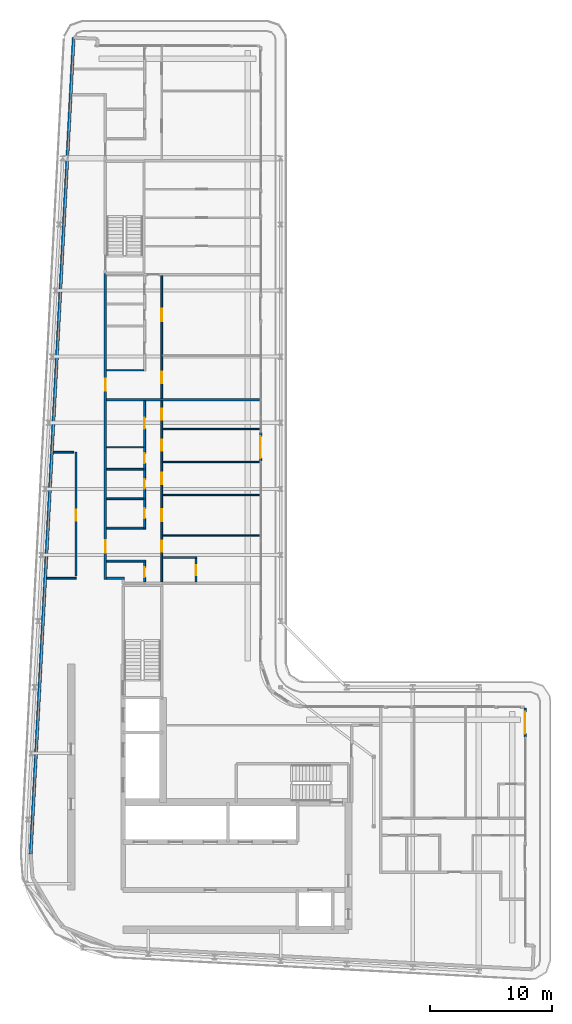
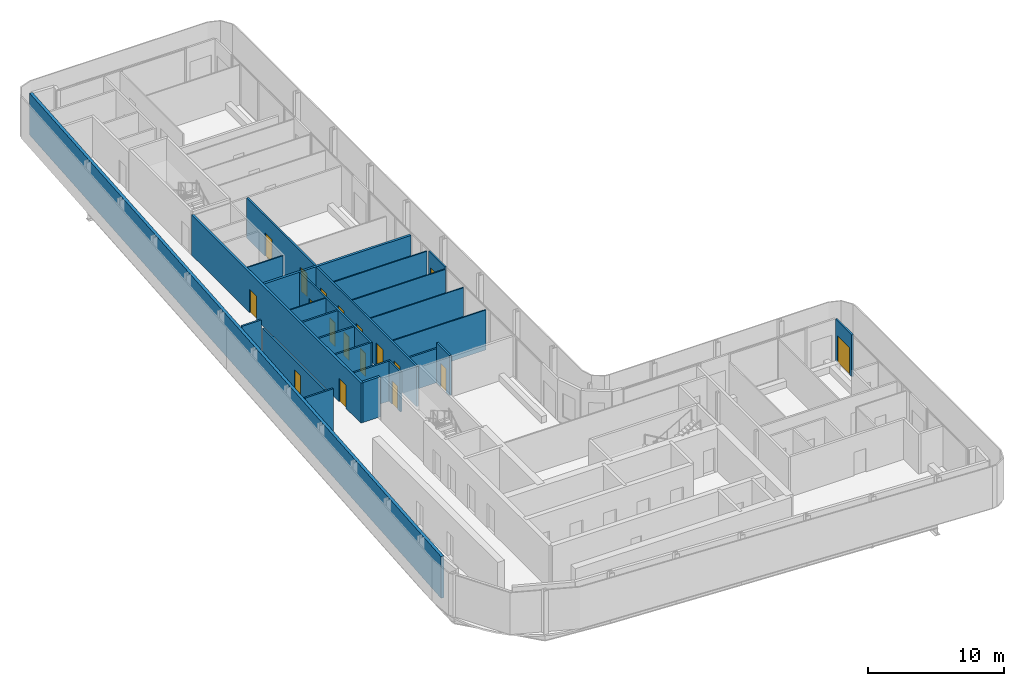
# One storey, part 13 of 21: 25 walls, 18 doors, 18 openings.
"""IFC4 building model written with IfcOpenShell, lengths in metres."""

from ifc_helpers import new_model, si_unit, direction, frame, frame_2d, origin, place, context, subcontext, project, spatial, rectangle, extrude, source, transform, mapped, material, layer, layer_set, type_object, element, fill, save


model = new_model("IFC4")

# Units and contexts
model_context = context("Model", 3, precision=1e-05, world=origin(), true_north=direction((0.0, 1.0)))
body_context = subcontext(model_context, "Body", "Model", "MODEL_VIEW")
ifc_project = project(units=[si_unit("LENGTHUNIT", "METRE"), si_unit("AREAUNIT", "SQUARE_METRE"), si_unit("VOLUMEUNIT", "CUBIC_METRE"), si_unit("PLANEANGLEUNIT", "RADIAN"), si_unit("MASSUNIT", "GRAM", prefix="KILO")], contexts=[model_context])

# Site, building, storey
site_placement = place(None, origin())
site = spatial("IfcSite", under=ifc_project, at=site_placement, CompositionType="ELEMENT")
building_placement = place(site_placement, origin())
building = spatial("IfcBuilding", under=site, at=building_placement, Name="Kheshtan School and Residences Tower", CompositionType="ELEMENT")
storey_placement = place(building_placement, frame((0.0, 0.0, 305.89990234375)))
storey = spatial("IfcBuildingStorey", under=building, at=storey_placement, Name="L72", CompositionType="ELEMENT", Elevation=305.89990234375)

# Wall, openings, doors
ifc_material_1 = material(Name="Gypsum board on steel studs with fire boards", Category="steel")
ifc_layer_1 = layer(ifc_material_1, 0.199951171875)
ifc_layer_set_1 = layer_set([ifc_layer_1], Name="Corridor wall 200")
wall_type_1 = type_object("IfcWallType", Name="Corridor wall 200", PredefinedType="PARTITIONING", material=ifc_layer_set_1)
wall_1_placement = place(storey_placement, frame((33.300048828125, 54.39990234375, 0.0), z_axis=(0.0, 0.0, 1.0), x_axis=(0.0, 1.0, 0.0)))
wall_1 = element("IfcWall", 1, at=wall_1_placement, inside=storey, type_object=wall_type_1, Name="Partition L72-003", PredefinedType="PARTITIONING", context=body_context, shape_type="SweptSolid", body=[
    extrude(rectangle(XDim=24.97509765625, YDim=0.199951171875, at=frame_2d((12.487548828125, 0.0))), origin(), (0.0, 0.0, 1.0), 3.60009765625),
])
opening_1_placement = place(wall_1_placement, frame((2.199951171875, 0.0, 0.0)))
opening_1 = element("IfcOpeningElement", 2, at=opening_1_placement, cuts=wall_1, Name="Opening D72-014", PredefinedType="OPENING", context=body_context, shape_type="SweptSolid", body=[
    extrude(rectangle(XDim=1.0, YDim=2.10009765625, at=frame_2d((0.5, 1.050048828125))), frame((0.0, 0.10986328125, 0.0), z_axis=(0.0, -1.0, 0.0), x_axis=(1.0, 0.0, 0.0)), (0.0, 0.0, 1.0), 0.219970703125),
])
opening_2_placement = place(wall_1_placement, frame((15.39990234375, 0.0, 0.0)))
opening_2 = element("IfcOpeningElement", 3, at=opening_2_placement, cuts=wall_1, Name="Opening D72-023", PredefinedType="OPENING", context=body_context, shape_type="SweptSolid", body=[
    extrude(rectangle(XDim=1.0, YDim=2.10009765625, at=frame_2d((0.5, 1.050048828125))), frame((0.0, 0.10986328125, 0.0), z_axis=(0.0, -1.0, 0.0), x_axis=(1.0, 0.0, 0.0)), (0.0, 0.0, 1.0), 0.219970703125),
])
ifc_material_2 = material(Name="Steel-framed fire-resisting door leaf", Category="steel")
door_type_1 = type_object("IfcDoorType", Name="Fire door FD30S 1000 x 2100", OperationType="SINGLE_SWING_LEFT", PredefinedType="DOOR", material=ifc_material_2)
shared_shape_1 = source(origin(), body_context, "Body", "SweptSolid", [
    extrude(rectangle(XDim=1.0, YDim=2.10009765625, at=frame_2d((0.5, 1.050048828125))), frame((0.0, 0.02490234375, 0.0), z_axis=(0.0, -1.0, 0.0), x_axis=(1.0, 0.0, 0.0)), (0.0, 0.0, 1.0), 0.050048828125),
])
door_1_placement = place(opening_1_placement, origin())
door_1 = element("IfcDoor", 4, at=door_1_placement, inside=storey, type_object=door_type_1, Name="Door D72-014", OperationType="SINGLE_SWING_RIGHT", OverallHeight=2.10009765625, OverallWidth=1.0, PredefinedType="DOOR", context=body_context, shape_type="MappedRepresentation", body=[
    mapped(shared_shape_1, transform((0.0, 0.0, 0.0), x_axis=(1.0, 0.0, 0.0), y_axis=(0.0, 1.0, 0.0), z_axis=(0.0, 0.0, 1.0), scale=1.0)),
])
fill(opening_1, door_1)
door_2_placement = place(opening_2_placement, origin())
door_2 = element("IfcDoor", 5, at=door_2_placement, inside=storey, type_object=door_type_1, Name="Door D72-023", OperationType="SINGLE_SWING_LEFT", OverallHeight=2.10009765625, OverallWidth=1.0, PredefinedType="DOOR", context=body_context, shape_type="MappedRepresentation", body=[
    mapped(shared_shape_1, transform((0.0, 0.0, 0.0), x_axis=(1.0, 0.0, 0.0), y_axis=(0.0, 1.0, 0.0), z_axis=(0.0, 0.0, 1.0), scale=1.0)),
])
fill(opening_2, door_2)

# Walls
wall_2_placement = place(storey_placement, frame((33.39990234375, 54.5, 0.0), z_axis=(0.0, 0.0, 1.0), x_axis=(1.0, 0.0, 0.0)))
element("IfcWall", 6, at=wall_2_placement, inside=storey, type_object=wall_type_1, Name="Partition L72-005", PredefinedType="PARTITIONING", context=body_context, shape_type="SweptSolid", body=[
    extrude(rectangle(XDim=1.4501953125, YDim=0.199951171875, at=frame_2d((0.72509765625, 0.0))), origin(), (0.0, 0.0, 1.0), 3.60009765625),
])
ifc_material_3 = material(Name="Concrete C40/50 with ceramic cladding and mineral wool insulation", Category="concrete")
ifc_layer_2 = layer(ifc_material_3, 0.25)
ifc_layer_set_2 = layer_set([ifc_layer_2], Name="External wall 250 ceramic clad")
wall_type_2 = type_object("IfcWallType", Name="External wall 250 ceramic clad", PredefinedType="SOLIDWALL", material=ifc_layer_set_2)
wall_3_placement = place(storey_placement, frame((27.195068359375, 31.968994140625, 0.0), z_axis=(0.0, 0.0, 1.0), x_axis=(0.052554995867, 0.998618031286, 0.0)))
element("IfcWall", 7, at=wall_3_placement, inside=storey, type_object=wall_type_2, Name="External wall L72 4", PredefinedType="SOLIDWALL", context=body_context, shape_type="SweptSolid", body=[
    extrude(rectangle(XDim=66.787353515625, YDim=0.25, at=frame_2d((33.3935546875, 0.0))), origin(), (0.0, 0.0, 1.0), 3.75),
])

# Wall, opening, door
ifc_material_4 = material(Name="Aluminium frame wall with insulated infill", Category="aluminium")
ifc_layer_3 = layer(ifc_material_4, 0.14990234375)
ifc_layer_set_3 = layer_set([ifc_layer_3], Name="Glazing frame wall 150")
wall_type_3 = type_object("IfcWallType", Name="Glazing frame wall 150", PredefinedType="SOLIDWALL", material=ifc_layer_set_3)
wall_4_placement = place(storey_placement, frame((45.97509765625, 66.41796875, 0.0), z_axis=(0.0, 0.0, 1.0), x_axis=(0.0, -1.0, 0.0)))
wall_4 = element("IfcWall", 8, at=wall_4_placement, inside=storey, type_object=wall_type_3, Name="Balcony door wall L72 8.4", PredefinedType="SOLIDWALL", context=body_context, shape_type="SweptSolid", body=[
    extrude(rectangle(XDim=2.39990234375, YDim=0.14990234375, at=frame_2d((1.199951171875, 0.0))), origin(), (0.0, 0.0, 1.0), 3.75),
])
opening_3_placement = place(wall_4_placement, frame((0.300048828125, 0.0, 0.0)))
opening_3 = element("IfcOpeningElement", 9, at=opening_3_placement, cuts=wall_4, Name="Opening BD", PredefinedType="OPENING", context=body_context, shape_type="SweptSolid", body=[
    extrude(rectangle(XDim=1.800048828125, YDim=2.39990234375, at=frame_2d((0.89990234375, 1.199951171875))), frame((0.0, 0.0849609375, 0.0), z_axis=(0.0, -1.0, 0.0), x_axis=(1.0, 0.0, 0.0)), (0.0, 0.0, 1.0), 0.169921875),
])
ifc_material_5 = material(Name="Clear low-e glass in thermally broken aluminium frame", Category="aluminium")
door_type_2 = type_object("IfcDoorType", Name="Balcony sliding door", OperationType="SLIDING_TO_LEFT", PredefinedType="DOOR", material=ifc_material_5)
shared_shape_2 = source(origin(), body_context, "Body", "SweptSolid", [
    extrude(rectangle(XDim=1.800048828125, YDim=2.39990234375, at=frame_2d((0.89990234375, 1.199951171875))), frame((0.0, 0.02490234375, 0.0), z_axis=(0.0, -1.0, 0.0), x_axis=(1.0, 0.0, 0.0)), (0.0, 0.0, 1.0), 0.050048828125),
])
door_3_placement = place(opening_3_placement, origin())
door_3 = element("IfcDoor", 10, at=door_3_placement, inside=storey, type_object=door_type_2, Name="Balcony door L72 8.4", OperationType="SLIDING_TO_LEFT", OverallHeight=2.39990234375, OverallWidth=1.800048828125, PredefinedType="DOOR", context=body_context, shape_type="MappedRepresentation", body=[
    mapped(shared_shape_2, transform((0.0, 0.0, 0.0), x_axis=(1.0, 0.0, 0.0), y_axis=(0.0, 1.0, 0.0), z_axis=(0.0, 0.0, 1.0), scale=1.0)),
])
fill(opening_3, door_3)

wall_5_placement = place(storey_placement, frame((67.574951171875, 43.89990234375, 0.0), z_axis=(0.0, 0.0, 1.0), x_axis=(0.0, -1.0, 0.0)))
wall_5 = element("IfcWall", 11, at=wall_5_placement, inside=storey, type_object=wall_type_3, Name="Balcony door wall L72 13.1", PredefinedType="SOLIDWALL", context=body_context, shape_type="SweptSolid", body=[
    extrude(rectangle(XDim=2.39990234375, YDim=0.14990234375, at=frame_2d((1.199951171875, 0.0))), origin(), (0.0, 0.0, 1.0), 3.75),
])
opening_4_placement = place(wall_5_placement, frame((0.300048828125, 0.0, 0.0)))
opening_4 = element("IfcOpeningElement", 12, at=opening_4_placement, cuts=wall_5, Name="Opening BD", PredefinedType="OPENING", context=body_context, shape_type="SweptSolid", body=[
    extrude(rectangle(XDim=1.800048828125, YDim=2.39990234375, at=frame_2d((0.89990234375, 1.199951171875))), frame((0.0, 0.0849609375, 0.0), z_axis=(0.0, -1.0, 0.0), x_axis=(1.0, 0.0, 0.0)), (0.0, 0.0, 1.0), 0.169921875),
])
door_4_placement = place(opening_4_placement, origin())
door_4 = element("IfcDoor", 13, at=door_4_placement, inside=storey, type_object=door_type_2, Name="Balcony door L72 13.1", OperationType="SLIDING_TO_LEFT", OverallHeight=2.39990234375, OverallWidth=1.800048828125, PredefinedType="DOOR", context=body_context, shape_type="MappedRepresentation", body=[
    mapped(shared_shape_2, transform((0.0, 0.0, 0.0), x_axis=(1.0, 0.0, 0.0), y_axis=(0.0, 1.0, 0.0), z_axis=(0.0, 0.0, 1.0), scale=1.0)),
])
fill(opening_4, door_4)

# Walls
ifc_material_6 = material(Name="Gypsum board on steel studs", Category="steel")
ifc_layer_4 = layer(ifc_material_6, 0.10009765625)
ifc_layer_set_4 = layer_set([ifc_layer_4], Name="Gypsum partition 100")
wall_type_4 = type_object("IfcWallType", Name="Gypsum partition 100", PredefinedType="PARTITIONING", material=ifc_layer_set_4)
for number, where, z_axis, x_axis, name in (
    (14, (33.39990234375, 65.199951171875, 0.0), (0.0, 0.0, 1.0), (1.0, 0.0, 0.0), "Partition L72-010"),
    (15, (33.39990234375, 71.5, 0.0), (0.0, 0.0, 1.0), (1.0, 0.0, 0.0), "Partition L72-012"),
):
    element("IfcWall", number, at=place(storey_placement, frame(where, z_axis=z_axis, x_axis=x_axis)), inside=storey, type_object=wall_type_4, Name=name, PredefinedType="PARTITIONING", context=body_context, shape_type="SweptSolid", body=[
        extrude(rectangle(XDim=3.025146484375, YDim=0.10009765625, at=frame_2d((1.5126953125, 0.0))), origin(), (0.0, 0.0, 1.0), 3.60009765625),
    ])
for number, where, z_axis, x_axis, name in (
    (16, (37.97509765625, 58.0, 0.0), (0.0, 0.0, 1.0), (1.0, 0.0, 0.0), "Partition L72-035"),
    (17, (37.97509765625, 61.300048828125, 0.0), (0.0, 0.0, 1.0), (1.0, 0.0, 0.0), "Partition L72-036"),
    (18, (37.97509765625, 64.0, 0.0), (0.0, 0.0, 1.0), (1.0, 0.0, 0.0), "Partition L72-037"),
    (19, (37.97509765625, 66.699951171875, 0.0), (0.0, 0.0, 1.0), (1.0, 0.0, 0.0), "Partition L72-038"),
):
    element("IfcWall", number, at=place(storey_placement, frame(where, z_axis=z_axis, x_axis=x_axis)), inside=storey, type_object=wall_type_4, Name=name, PredefinedType="PARTITIONING", context=body_context, shape_type="SweptSolid", body=[
        extrude(rectangle(XDim=7.9248046875, YDim=0.10009765625, at=frame_2d((3.96240234375, 0.0))), origin(), (0.0, 0.0, 1.0), 3.60009765625),
    ])
ifc_material_7 = material(Name="Fire-board shaft wall system")
ifc_layer_5 = layer(ifc_material_7, 0.14990234375)
ifc_layer_set_5 = layer_set([ifc_layer_5], Name="Service room wall 150")
wall_type_5 = type_object("IfcWallType", Name="Service room wall 150", PredefinedType="PARTITIONING", material=ifc_layer_set_5)
wall_6_placement = place(storey_placement, frame((28.508056640625, 54.5, 0.0), z_axis=(0.0, 0.0, 1.0), x_axis=(1.0, 0.0, 0.0)))
element("IfcWall", 20, at=wall_6_placement, inside=storey, type_object=wall_type_5, Name="Service room wall", PredefinedType="PARTITIONING", context=body_context, shape_type="SweptSolid", body=[
    extrude(rectangle(XDim=2.391845703125, YDim=0.14990234375, at=frame_2d((1.19580078125, 0.0))), origin(), (0.0, 0.0, 1.0), 3.900146484375),
])

# Wall, opening, door
wall_7_placement = place(storey_placement, frame((30.89990234375, 54.695068359375, 0.0), z_axis=(0.0, 0.0, 1.0), x_axis=(0.0, 1.0, 0.0)))
wall_7 = element("IfcWall", 21, at=wall_7_placement, inside=storey, type_object=wall_type_5, Name="Service room wall", PredefinedType="PARTITIONING", context=body_context, shape_type="SweptSolid", body=[
    extrude(rectangle(XDim=10.10498046875, YDim=0.14990234375, at=frame_2d((5.052490234375, 0.0))), origin(), (0.0, 0.0, 1.0), 3.072021484375),
])
opening_5_placement = place(wall_7_placement, frame((4.5048828125, 0.0, 0.0)))
opening_5 = element("IfcOpeningElement", 22, at=opening_5_placement, cuts=wall_7, Name="Opening SR90", PredefinedType="OPENING", context=body_context, shape_type="SweptSolid", body=[
    extrude(rectangle(XDim=0.89990234375, YDim=2.199951171875, at=frame_2d((0.449951171875, 1.10009765625))), frame((0.0, 0.0849609375, 0.0), z_axis=(0.0, -1.0, 0.0), x_axis=(1.0, 0.0, 0.0)), (0.0, 0.0, 1.0), 0.169921875),
])
ifc_material_8 = material(Name="Steel door leaf, galvanised", Category="steel")
door_type_3 = type_object("IfcDoorType", Name="Service room door 900 steel 90 min", OperationType="SINGLE_SWING_LEFT", PredefinedType="DOOR", material=ifc_material_8)
shared_shape_3 = source(origin(), body_context, "Body", "SweptSolid", [
    extrude(rectangle(XDim=0.89990234375, YDim=2.199951171875, at=frame_2d((0.449951171875, 1.10009765625))), frame((0.0, 0.02490234375, 0.0), z_axis=(0.0, -1.0, 0.0), x_axis=(1.0, 0.0, 0.0)), (0.0, 0.0, 1.0), 0.050048828125),
])
door_5_placement = place(opening_5_placement, origin())
door_5 = element("IfcDoor", 23, at=door_5_placement, inside=storey, type_object=door_type_3, Name="Service room door", OperationType="SINGLE_SWING_LEFT", OverallHeight=2.199951171875, OverallWidth=0.89990234375, PredefinedType="DOOR", context=body_context, shape_type="MappedRepresentation", body=[
    mapped(shared_shape_3, transform((0.0, 0.0, 0.0), x_axis=(1.0, 0.0, 0.0), y_axis=(0.0, 1.0, 0.0), z_axis=(0.0, 0.0, 1.0), scale=1.0)),
])
fill(opening_5, door_5)

# Walls
wall_8_placement = place(storey_placement, frame((29.050048828125, 64.800048828125, 0.0), z_axis=(0.0, 0.0, 1.0), x_axis=(1.0, 0.0, 0.0)))
element("IfcWall", 24, at=wall_8_placement, inside=storey, type_object=wall_type_5, Name="Service room wall", PredefinedType="PARTITIONING", context=body_context, shape_type="SweptSolid", body=[
    extrude(rectangle(XDim=1.655029296875, YDim=0.14990234375, at=frame_2d((0.82763671875, 0.0))), origin(), (0.0, 0.0, 1.0), 3.900146484375),
])
ifc_material_9 = material(Name="Twin gypsum board on steel studs with mineral wool", Category="steel")
ifc_layer_6 = layer(ifc_material_9, 0.199951171875)
ifc_layer_set_6 = layer_set([ifc_layer_6], Name="Unit demising wall 200")
wall_type_6 = type_object("IfcWallType", Name="Unit demising wall 200", PredefinedType="PARTITIONING", material=ifc_layer_set_6)
wall_9_placement = place(storey_placement, frame((33.39990234375, 69.10009765625, 0.0), z_axis=(0.0, 0.0, 1.0), x_axis=(1.0, 0.0, 0.0)))
element("IfcWall", 25, at=wall_9_placement, inside=storey, type_object=wall_type_6, Name="Partition L72-011", PredefinedType="PARTITIONING", context=body_context, shape_type="SweptSolid", body=[
    extrude(rectangle(XDim=12.5, YDim=0.199951171875, at=frame_2d((6.25, 0.0))), origin(), (0.0, 0.0, 1.0), 3.60009765625),
])
ifc_material_10 = material(Name="Moisture-resistant gypsum board on steel studs", Category="steel")
ifc_layer_7 = layer(ifc_material_10, 0.14990234375)
ifc_layer_set_7 = layer_set([ifc_layer_7], Name="Wet-room partition 150")
wall_type_7 = type_object("IfcWallType", Name="Wet-room partition 150", PredefinedType="PARTITIONING", material=ifc_layer_set_7)
wall_10_placement = place(storey_placement, frame((33.39990234375, 55.89990234375, 0.0), z_axis=(0.0, 0.0, 1.0), x_axis=(1.0, 0.0, 0.0)))
element("IfcWall", 26, at=wall_10_placement, inside=storey, type_object=wall_type_7, Name="Partition L72-006", PredefinedType="PARTITIONING", context=body_context, shape_type="SweptSolid", body=[
    extrude(rectangle(XDim=3.175048828125, YDim=0.14990234375, at=frame_2d((1.58740234375, 0.0))), origin(), (0.0, 0.0, 1.0), 3.60009765625),
])
for number, where, z_axis, x_axis, name in (
    (27, (33.39990234375, 58.60009765625, 0.0), (0.0, 0.0, 1.0), (1.0, 0.0, 0.0), "Partition L72-007"),
    (28, (33.39990234375, 61.0, 0.0), (0.0, 0.0, 1.0), (1.0, 0.0, 0.0), "Partition L72-008"),
    (29, (33.39990234375, 63.39990234375, 0.0), (0.0, 0.0, 1.0), (1.0, 0.0, 0.0), "Partition L72-009"),
):
    element("IfcWall", number, at=place(storey_placement, frame(where, z_axis=z_axis, x_axis=x_axis)), inside=storey, type_object=wall_type_7, Name=name, PredefinedType="PARTITIONING", context=body_context, shape_type="SweptSolid", body=[
        extrude(rectangle(XDim=3.025146484375, YDim=0.14990234375, at=frame_2d((1.5126953125, 0.0))), origin(), (0.0, 0.0, 1.0), 3.60009765625),
    ])

# Wall, opening, door
wall_11_placement = place(storey_placement, frame((36.5, 54.199951171875, 0.0), z_axis=(0.0, 0.0, 1.0), x_axis=(0.0, 1.0, 0.0)))
wall_11 = element("IfcWall", 30, at=wall_11_placement, inside=storey, type_object=wall_type_7, Name="Partition L72-021", PredefinedType="PARTITIONING", context=body_context, shape_type="SweptSolid", body=[
    extrude(rectangle(XDim=1.625, YDim=0.14990234375, at=frame_2d((0.8125, 0.0))), origin(), (0.0, 0.0, 1.0), 3.60009765625),
])
opening_6_placement = place(wall_11_placement, frame((0.39990234375, 0.0, 0.0)))
opening_6 = element("IfcOpeningElement", 31, at=opening_6_placement, cuts=wall_11, Name="Opening D72-020", PredefinedType="OPENING", context=body_context, shape_type="SweptSolid", body=[
    extrude(rectangle(XDim=0.800048828125, YDim=2.10009765625, at=frame_2d((0.39990234375, 1.050048828125))), frame((0.0, 0.0849609375, 0.0), z_axis=(0.0, -1.0, 0.0), x_axis=(1.0, 0.0, 0.0)), (0.0, 0.0, 1.0), 0.169921875),
])
ifc_material_11 = material(Name="Veneered timber door leaf", Category="wood")
door_type_4 = type_object("IfcDoorType", Name="Door 800 x 2100", OperationType="SINGLE_SWING_LEFT", PredefinedType="DOOR", material=ifc_material_11)
shared_shape_4 = source(origin(), body_context, "Body", "SweptSolid", [
    extrude(rectangle(XDim=0.800048828125, YDim=2.10009765625, at=frame_2d((0.39990234375, 1.050048828125))), frame((0.0, 0.02490234375, 0.0), z_axis=(0.0, -1.0, 0.0), x_axis=(1.0, 0.0, 0.0)), (0.0, 0.0, 1.0), 0.050048828125),
])
door_6_placement = place(opening_6_placement, origin())
door_6 = element("IfcDoor", 32, at=door_6_placement, inside=storey, type_object=door_type_4, Name="Door D72-020", OperationType="SINGLE_SWING_RIGHT", OverallHeight=2.10009765625, OverallWidth=0.800048828125, PredefinedType="DOOR", context=body_context, shape_type="MappedRepresentation", body=[
    mapped(shared_shape_4, transform((0.0, 0.0, 0.0), x_axis=(1.0, 0.0, 0.0), y_axis=(0.0, 1.0, 0.0), z_axis=(0.0, 0.0, 1.0), scale=1.0)),
])
fill(opening_6, door_6)

# Wall, openings, doors
wall_12_placement = place(storey_placement, frame((36.5, 58.52490234375, 0.0), z_axis=(0.0, 0.0, 1.0), x_axis=(0.0, 1.0, 0.0)))
wall_12 = element("IfcWall", 33, at=wall_12_placement, inside=storey, type_object=wall_type_7, Name="Partition L72-022", PredefinedType="PARTITIONING", context=body_context, shape_type="SweptSolid", body=[
    extrude(rectangle(XDim=10.47509765625, YDim=0.14990234375, at=frame_2d((5.237548828125, 0.0))), origin(), (0.0, 0.0, 1.0), 3.60009765625),
])
opening_7_placement = place(wall_12_placement, frame((0.875, 0.0, 0.0)))
opening_7 = element("IfcOpeningElement", 34, at=opening_7_placement, cuts=wall_12, Name="Opening D72-009", PredefinedType="OPENING", context=body_context, shape_type="SweptSolid", body=[
    extrude(rectangle(XDim=0.800048828125, YDim=2.10009765625, at=frame_2d((0.39990234375, 1.050048828125))), frame((0.0, 0.0849609375, 0.0), z_axis=(0.0, -1.0, 0.0), x_axis=(1.0, 0.0, 0.0)), (0.0, 0.0, 1.0), 0.169921875),
])
opening_8_placement = place(wall_12_placement, frame((3.27490234375, 0.0, 0.0)))
opening_8 = element("IfcOpeningElement", 35, at=opening_8_placement, cuts=wall_12, Name="Opening D72-010", PredefinedType="OPENING", context=body_context, shape_type="SweptSolid", body=[
    extrude(rectangle(XDim=0.800048828125, YDim=2.10009765625, at=frame_2d((0.39990234375, 1.050048828125))), frame((0.0, 0.0849609375, 0.0), z_axis=(0.0, -1.0, 0.0), x_axis=(1.0, 0.0, 0.0)), (0.0, 0.0, 1.0), 0.169921875),
])
opening_9_placement = place(wall_12_placement, frame((8.175048828125, 0.0, 0.0)))
opening_9 = element("IfcOpeningElement", 36, at=opening_9_placement, cuts=wall_12, Name="Opening D72-015", PredefinedType="OPENING", context=body_context, shape_type="SweptSolid", body=[
    extrude(rectangle(XDim=0.89990234375, YDim=2.10009765625, at=frame_2d((0.449951171875, 1.050048828125))), frame((0.0, 0.0849609375, 0.0), z_axis=(0.0, -1.0, 0.0), x_axis=(1.0, 0.0, 0.0)), (0.0, 0.0, 1.0), 0.169921875),
])
opening_10_placement = place(wall_12_placement, frame((5.375, 0.0, 0.0)))
opening_10 = element("IfcOpeningElement", 37, at=opening_10_placement, cuts=wall_12, Name="Opening D72-019", PredefinedType="OPENING", context=body_context, shape_type="SweptSolid", body=[
    extrude(rectangle(XDim=0.800048828125, YDim=2.10009765625, at=frame_2d((0.39990234375, 1.050048828125))), frame((0.0, 0.0849609375, 0.0), z_axis=(0.0, -1.0, 0.0), x_axis=(1.0, 0.0, 0.0)), (0.0, 0.0, 1.0), 0.169921875),
])
door_7_placement = place(opening_7_placement, origin())
door_7 = element("IfcDoor", 38, at=door_7_placement, inside=storey, type_object=door_type_4, Name="Door D72-009", OperationType="SINGLE_SWING_LEFT", OverallHeight=2.10009765625, OverallWidth=0.800048828125, PredefinedType="DOOR", context=body_context, shape_type="MappedRepresentation", body=[
    mapped(shared_shape_4, transform((0.0, 0.0, 0.0), x_axis=(1.0, 0.0, 0.0), y_axis=(0.0, 1.0, 0.0), z_axis=(0.0, 0.0, 1.0), scale=1.0)),
])
fill(opening_7, door_7)
door_8_placement = place(opening_8_placement, origin())
door_8 = element("IfcDoor", 39, at=door_8_placement, inside=storey, type_object=door_type_4, Name="Door D72-010", OperationType="SINGLE_SWING_LEFT", OverallHeight=2.10009765625, OverallWidth=0.800048828125, PredefinedType="DOOR", context=body_context, shape_type="MappedRepresentation", body=[
    mapped(shared_shape_4, transform((0.0, 0.0, 0.0), x_axis=(1.0, 0.0, 0.0), y_axis=(0.0, 1.0, 0.0), z_axis=(0.0, 0.0, 1.0), scale=1.0)),
])
fill(opening_8, door_8)
door_9_placement = place(opening_10_placement, origin())
door_9 = element("IfcDoor", 40, at=door_9_placement, inside=storey, type_object=door_type_4, Name="Door D72-019", OperationType="SINGLE_SWING_RIGHT", OverallHeight=2.10009765625, OverallWidth=0.800048828125, PredefinedType="DOOR", context=body_context, shape_type="MappedRepresentation", body=[
    mapped(shared_shape_4, transform((0.0, 0.0, 0.0), x_axis=(1.0, 0.0, 0.0), y_axis=(0.0, 1.0, 0.0), z_axis=(0.0, 0.0, 1.0), scale=1.0)),
])
fill(opening_10, door_9)
door_type_5 = type_object("IfcDoorType", Name="Door 900 x 2100", OperationType="SINGLE_SWING_LEFT", PredefinedType="DOOR", material=ifc_material_11)
shared_shape_5 = source(origin(), body_context, "Body", "SweptSolid", [
    extrude(rectangle(XDim=0.89990234375, YDim=2.10009765625, at=frame_2d((0.449951171875, 1.050048828125))), frame((0.0, 0.02490234375, 0.0), z_axis=(0.0, -1.0, 0.0), x_axis=(1.0, 0.0, 0.0)), (0.0, 0.0, 1.0), 0.050048828125),
])
door_10_placement = place(opening_9_placement, origin())
door_10 = element("IfcDoor", 41, at=door_10_placement, inside=storey, type_object=door_type_5, Name="Door D72-015", OperationType="SINGLE_SWING_RIGHT", OverallHeight=2.10009765625, OverallWidth=0.89990234375, PredefinedType="DOOR", context=body_context, shape_type="MappedRepresentation", body=[
    mapped(shared_shape_5, transform((0.0, 0.0, 0.0), x_axis=(1.0, 0.0, 0.0), y_axis=(0.0, 1.0, 0.0), z_axis=(0.0, 0.0, 1.0), scale=1.0)),
])
fill(opening_9, door_10)

wall_13_placement = place(storey_placement, frame((37.89990234375, 54.199951171875, 0.0), z_axis=(0.0, 0.0, 1.0), x_axis=(0.0, 1.0, 0.0)))
wall_13 = element("IfcWall", 42, at=wall_13_placement, inside=storey, type_object=wall_type_7, Name="Partition L72-030", PredefinedType="PARTITIONING", context=body_context, shape_type="SweptSolid", body=[
    extrude(rectangle(XDim=14.800048828125, YDim=0.14990234375, at=frame_2d((7.39990234375, 0.0))), origin(), (0.0, 0.0, 1.0), 3.60009765625),
])
opening_11_placement = place(wall_13_placement, frame((8.0, 0.0, 0.0)))
opening_11 = element("IfcOpeningElement", 43, at=opening_11_placement, cuts=wall_13, Name="Opening D72-011", PredefinedType="OPENING", context=body_context, shape_type="SweptSolid", body=[
    extrude(rectangle(XDim=0.89990234375, YDim=2.10009765625, at=frame_2d((0.449951171875, 1.050048828125))), frame((0.0, 0.0849609375, 0.0), z_axis=(0.0, -1.0, 0.0), x_axis=(1.0, 0.0, 0.0)), (0.0, 0.0, 1.0), 0.169921875),
])
opening_12_placement = place(wall_13_placement, frame((10.699951171875, 0.0, 0.0)))
opening_12 = element("IfcOpeningElement", 44, at=opening_12_placement, cuts=wall_13, Name="Opening D72-012", PredefinedType="OPENING", context=body_context, shape_type="SweptSolid", body=[
    extrude(rectangle(XDim=0.89990234375, YDim=2.10009765625, at=frame_2d((0.449951171875, 1.050048828125))), frame((0.0, 0.0849609375, 0.0), z_axis=(0.0, -1.0, 0.0), x_axis=(1.0, 0.0, 0.0)), (0.0, 0.0, 1.0), 0.169921875),
])
opening_13_placement = place(wall_13_placement, frame((4.949951171875, 0.0, 0.0)))
opening_13 = element("IfcOpeningElement", 45, at=opening_13_placement, cuts=wall_13, Name="Opening D72-016", PredefinedType="OPENING", context=body_context, shape_type="SweptSolid", body=[
    extrude(rectangle(XDim=1.0, YDim=2.10009765625, at=frame_2d((0.5, 1.050048828125))), frame((0.0, 0.0849609375, 0.0), z_axis=(0.0, -1.0, 0.0), x_axis=(1.0, 0.0, 0.0)), (0.0, 0.0, 1.0), 0.169921875),
])
opening_14_placement = place(wall_13_placement, frame((13.25, 0.0, 0.0)))
opening_14 = element("IfcOpeningElement", 46, at=opening_14_placement, cuts=wall_13, Name="Opening D72-017", PredefinedType="OPENING", context=body_context, shape_type="SweptSolid", body=[
    extrude(rectangle(XDim=0.89990234375, YDim=2.10009765625, at=frame_2d((0.449951171875, 1.050048828125))), frame((0.0, 0.0849609375, 0.0), z_axis=(0.0, -1.0, 0.0), x_axis=(1.0, 0.0, 0.0)), (0.0, 0.0, 1.0), 0.169921875),
])
opening_15_placement = place(wall_13_placement, frame((2.449951171875, 0.0, 0.0)))
opening_15 = element("IfcOpeningElement", 47, at=opening_15_placement, cuts=wall_13, Name="Opening D72-018", PredefinedType="OPENING", context=body_context, shape_type="SweptSolid", body=[
    extrude(rectangle(XDim=0.89990234375, YDim=2.10009765625, at=frame_2d((0.449951171875, 1.050048828125))), frame((0.0, 0.0849609375, 0.0), z_axis=(0.0, -1.0, 0.0), x_axis=(1.0, 0.0, 0.0)), (0.0, 0.0, 1.0), 0.169921875),
])
door_type_6 = type_object("IfcDoorType", Name="Door 1000 x 2100", OperationType="SINGLE_SWING_LEFT", PredefinedType="DOOR", material=ifc_material_11)
shared_shape_6 = source(origin(), body_context, "Body", "SweptSolid", [
    extrude(rectangle(XDim=1.0, YDim=2.10009765625, at=frame_2d((0.5, 1.050048828125))), frame((0.0, 0.02490234375, 0.0), z_axis=(0.0, -1.0, 0.0), x_axis=(1.0, 0.0, 0.0)), (0.0, 0.0, 1.0), 0.050048828125),
])
door_11_placement = place(opening_13_placement, origin())
door_11 = element("IfcDoor", 48, at=door_11_placement, inside=storey, type_object=door_type_6, Name="Door D72-016", OperationType="SINGLE_SWING_LEFT", OverallHeight=2.10009765625, OverallWidth=1.0, PredefinedType="DOOR", context=body_context, shape_type="MappedRepresentation", body=[
    mapped(shared_shape_6, transform((0.0, 0.0, 0.0), x_axis=(1.0, 0.0, 0.0), y_axis=(0.0, 1.0, 0.0), z_axis=(0.0, 0.0, 1.0), scale=1.0)),
])
fill(opening_13, door_11)
door_12_placement = place(opening_11_placement, origin())
door_12 = element("IfcDoor", 49, at=door_12_placement, inside=storey, type_object=door_type_5, Name="Door D72-011", OperationType="SINGLE_SWING_LEFT", OverallHeight=2.10009765625, OverallWidth=0.89990234375, PredefinedType="DOOR", context=body_context, shape_type="MappedRepresentation", body=[
    mapped(shared_shape_5, transform((0.0, 0.0, 0.0), x_axis=(1.0, 0.0, 0.0), y_axis=(0.0, 1.0, 0.0), z_axis=(0.0, 0.0, 1.0), scale=1.0)),
])
fill(opening_11, door_12)
door_13_placement = place(opening_12_placement, origin())
door_13 = element("IfcDoor", 50, at=door_13_placement, inside=storey, type_object=door_type_5, Name="Door D72-012", OperationType="SINGLE_SWING_RIGHT", OverallHeight=2.10009765625, OverallWidth=0.89990234375, PredefinedType="DOOR", context=body_context, shape_type="MappedRepresentation", body=[
    mapped(shared_shape_5, transform((0.0, 0.0, 0.0), x_axis=(1.0, 0.0, 0.0), y_axis=(0.0, 1.0, 0.0), z_axis=(0.0, 0.0, 1.0), scale=1.0)),
])
fill(opening_12, door_13)
door_14_placement = place(opening_14_placement, origin())
door_14 = element("IfcDoor", 51, at=door_14_placement, inside=storey, type_object=door_type_5, Name="Door D72-017", OperationType="SINGLE_SWING_LEFT", OverallHeight=2.10009765625, OverallWidth=0.89990234375, PredefinedType="DOOR", context=body_context, shape_type="MappedRepresentation", body=[
    mapped(shared_shape_5, transform((0.0, 0.0, 0.0), x_axis=(1.0, 0.0, 0.0), y_axis=(0.0, 1.0, 0.0), z_axis=(0.0, 0.0, 1.0), scale=1.0)),
])
fill(opening_14, door_14)
door_15_placement = place(opening_15_placement, origin())
door_15 = element("IfcDoor", 52, at=door_15_placement, inside=storey, type_object=door_type_5, Name="Door D72-018", OperationType="SINGLE_SWING_LEFT", OverallHeight=2.10009765625, OverallWidth=0.89990234375, PredefinedType="DOOR", context=body_context, shape_type="MappedRepresentation", body=[
    mapped(shared_shape_5, transform((0.0, 0.0, 0.0), x_axis=(1.0, 0.0, 0.0), y_axis=(0.0, 1.0, 0.0), z_axis=(0.0, 0.0, 1.0), scale=1.0)),
])
fill(opening_15, door_15)

wall_14_placement = place(storey_placement, frame((37.89990234375, 69.199951171875, 0.0), z_axis=(0.0, 0.0, 1.0), x_axis=(0.0, 1.0, 0.0)))
wall_14 = element("IfcWall", 53, at=wall_14_placement, inside=storey, type_object=wall_type_7, Name="Partition L72-031", PredefinedType="PARTITIONING", context=body_context, shape_type="SweptSolid", body=[
    extrude(rectangle(XDim=10.025146484375, YDim=0.14990234375, at=frame_2d((5.0126953125, 0.0))), origin(), (0.0, 0.0, 1.0), 3.60009765625),
])
opening_16_placement = place(wall_14_placement, frame((1.25, 0.0, 0.0)))
opening_16 = element("IfcOpeningElement", 54, at=opening_16_placement, cuts=wall_14, Name="Opening D72-022", PredefinedType="OPENING", context=body_context, shape_type="SweptSolid", body=[
    extrude(rectangle(XDim=0.89990234375, YDim=2.10009765625, at=frame_2d((0.449951171875, 1.050048828125))), frame((0.0, 0.0849609375, 0.0), z_axis=(0.0, -1.0, 0.0), x_axis=(1.0, 0.0, 0.0)), (0.0, 0.0, 1.0), 0.169921875),
])
opening_17_placement = place(wall_14_placement, frame((6.300048828125, 0.0, 0.0)))
opening_17 = element("IfcOpeningElement", 55, at=opening_17_placement, cuts=wall_14, Name="Opening D72-025", PredefinedType="OPENING", context=body_context, shape_type="SweptSolid", body=[
    extrude(rectangle(XDim=1.0, YDim=2.10009765625, at=frame_2d((0.5, 1.050048828125))), frame((0.0, 0.0849609375, 0.0), z_axis=(0.0, -1.0, 0.0), x_axis=(1.0, 0.0, 0.0)), (0.0, 0.0, 1.0), 0.169921875),
])
door_16_placement = place(opening_17_placement, origin())
door_16 = element("IfcDoor", 56, at=door_16_placement, inside=storey, type_object=door_type_6, Name="Door D72-025", OperationType="SINGLE_SWING_LEFT", OverallHeight=2.10009765625, OverallWidth=1.0, PredefinedType="DOOR", context=body_context, shape_type="MappedRepresentation", body=[
    mapped(shared_shape_6, transform((0.0, 0.0, 0.0), x_axis=(1.0, 0.0, 0.0), y_axis=(0.0, 1.0, 0.0), z_axis=(0.0, 0.0, 1.0), scale=1.0)),
])
fill(opening_17, door_16)
door_17_placement = place(opening_16_placement, origin())
door_17 = element("IfcDoor", 57, at=door_17_placement, inside=storey, type_object=door_type_5, Name="Door D72-022", OperationType="SINGLE_SWING_LEFT", OverallHeight=2.10009765625, OverallWidth=0.89990234375, PredefinedType="DOOR", context=body_context, shape_type="MappedRepresentation", body=[
    mapped(shared_shape_5, transform((0.0, 0.0, 0.0), x_axis=(1.0, 0.0, 0.0), y_axis=(0.0, 1.0, 0.0), z_axis=(0.0, 0.0, 1.0), scale=1.0)),
])
fill(opening_16, door_17)

# Wall
wall_15_placement = place(storey_placement, frame((37.97509765625, 56.199951171875, 0.0), z_axis=(0.0, 0.0, 1.0), x_axis=(1.0, 0.0, 0.0)))
element("IfcWall", 58, at=wall_15_placement, inside=storey, type_object=wall_type_7, Name="Partition L72-034", PredefinedType="PARTITIONING", context=body_context, shape_type="SweptSolid", body=[
    extrude(rectangle(XDim=2.7998046875, YDim=0.14990234375, at=frame_2d((1.39990234375, 0.0))), origin(), (0.0, 0.0, 1.0), 3.072021484375),
])

# Wall, opening, door
wall_16_placement = place(storey_placement, frame((40.699951171875, 54.199951171875, 0.0), z_axis=(0.0, 0.0, 1.0), x_axis=(0.0, 1.0, 0.0)))
wall_16 = element("IfcWall", 59, at=wall_16_placement, inside=storey, type_object=wall_type_7, Name="Partition L72-042", PredefinedType="PARTITIONING", context=body_context, shape_type="SweptSolid", body=[
    extrude(rectangle(XDim=1.925048828125, YDim=0.14990234375, at=frame_2d((0.96240234375, 0.0))), origin(), (0.0, 0.0, 1.0), 3.60009765625),
])
opening_18_placement = place(wall_16_placement, frame((0.550048828125, 0.0, 0.0)))
opening_18 = element("IfcOpeningElement", 60, at=opening_18_placement, cuts=wall_16, Name="Opening D72-013", PredefinedType="OPENING", context=body_context, shape_type="SweptSolid", body=[
    extrude(rectangle(XDim=0.800048828125, YDim=2.10009765625, at=frame_2d((0.39990234375, 1.050048828125))), frame((0.0, 0.0849609375, 0.0), z_axis=(0.0, -1.0, 0.0), x_axis=(1.0, 0.0, 0.0)), (0.0, 0.0, 1.0), 0.169921875),
])
door_18_placement = place(opening_18_placement, origin())
door_18 = element("IfcDoor", 61, at=door_18_placement, inside=storey, type_object=door_type_4, Name="Door D72-013", OperationType="SINGLE_SWING_RIGHT", OverallHeight=2.10009765625, OverallWidth=0.800048828125, PredefinedType="DOOR", context=body_context, shape_type="MappedRepresentation", body=[
    mapped(shared_shape_4, transform((0.0, 0.0, 0.0), x_axis=(1.0, 0.0, 0.0), y_axis=(0.0, 1.0, 0.0), z_axis=(0.0, 0.0, 1.0), scale=1.0)),
])
fill(opening_18, door_18)

save(model, "model.ifc")
